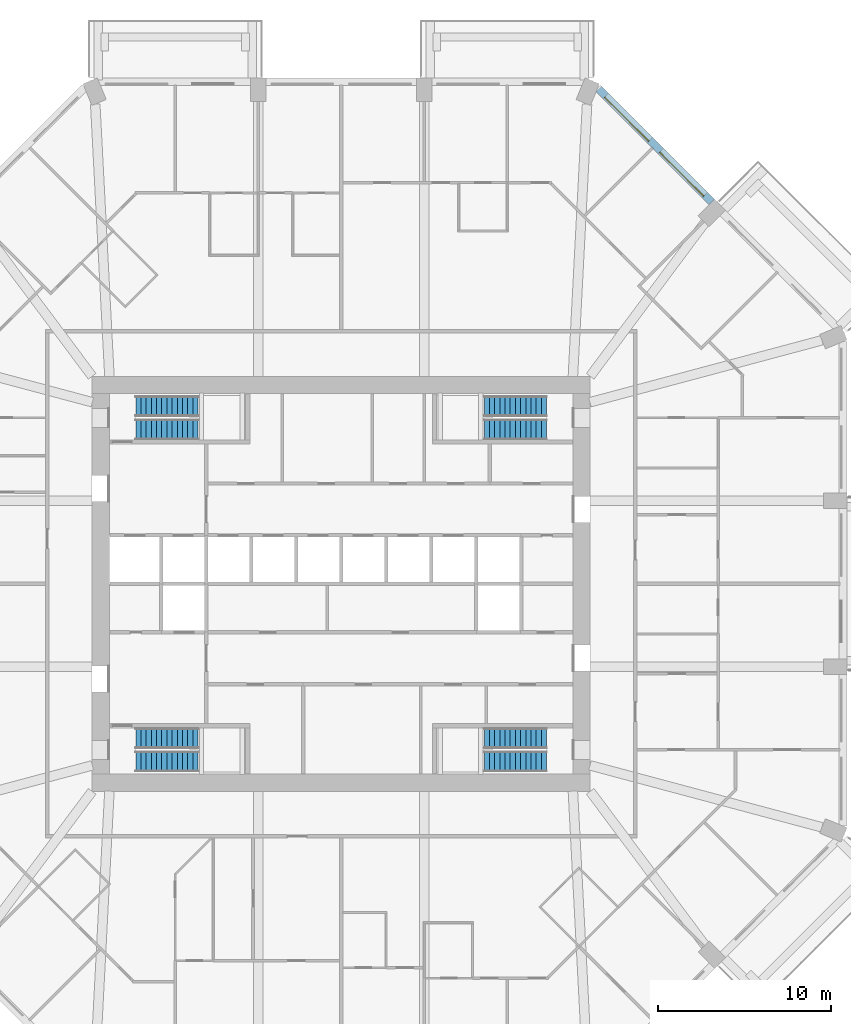
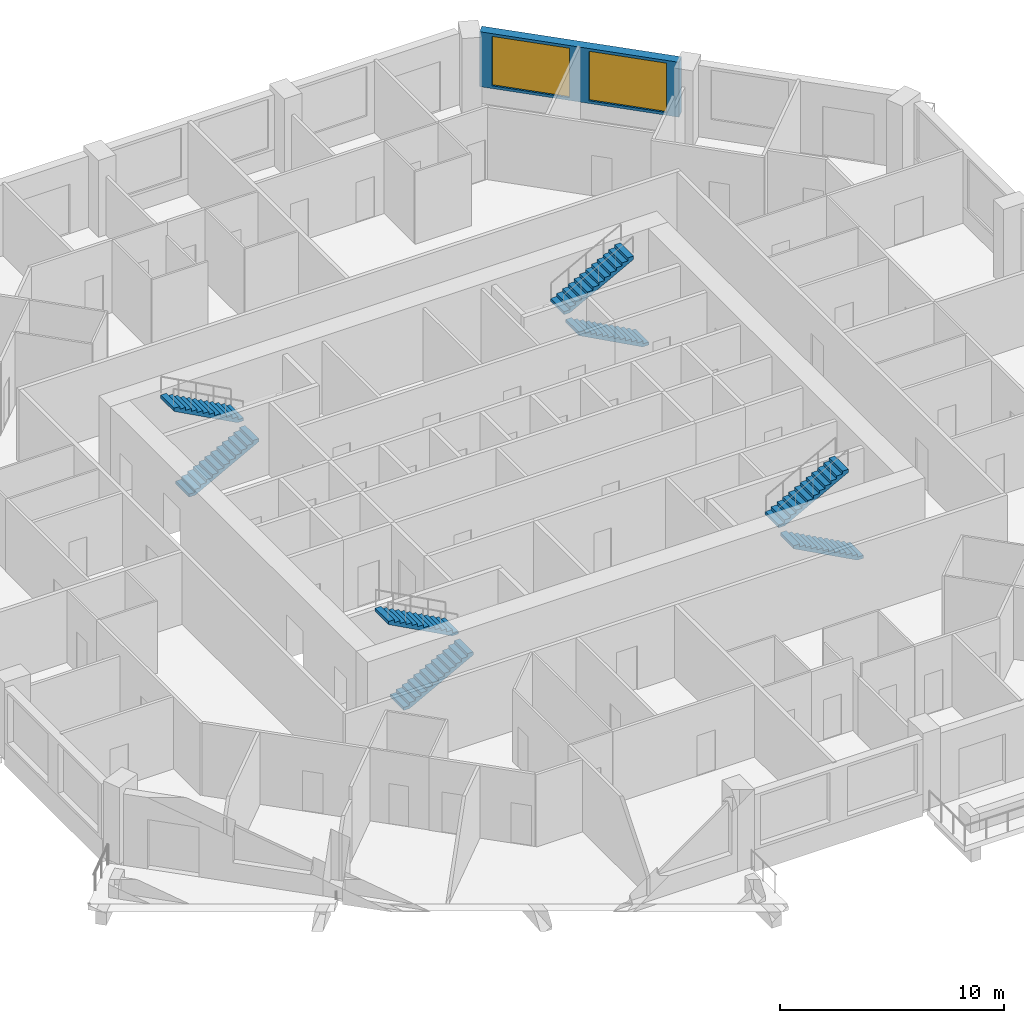
# One storey, part 11 of 13: 8 stair flights, 2 windows, 1 wall, 2 openings, 4 elements without a shape of their own.
"""IFC4 building model written with IfcOpenShell, lengths in metres."""

from ifc_helpers import new_model, si_unit, direction, frame, frame_2d, origin, place, context, subcontext, project, spatial, polyline, rectangle, outline, extrude, material, layer, layer_set, type_object, element, fill, aggregate, save


model = new_model("IFC4")

# Units and contexts
model_context = context("Model", 3, precision=1e-05, world=origin(), true_north=direction((0.0, 1.0)))
body_context = subcontext(model_context, "Body", "Model", "MODEL_VIEW")
ifc_project = project(units=[si_unit("LENGTHUNIT", "METRE"), si_unit("AREAUNIT", "SQUARE_METRE"), si_unit("VOLUMEUNIT", "CUBIC_METRE"), si_unit("PLANEANGLEUNIT", "RADIAN"), si_unit("MASSUNIT", "GRAM", prefix="KILO")], contexts=[model_context])

# Site, building, storey
site_placement = place(None, origin())
site = spatial("IfcSite", under=ifc_project, at=site_placement, CompositionType="ELEMENT")
building_placement = place(site_placement, origin())
building = spatial("IfcBuilding", under=site, at=building_placement, Name="Msitu Wima Residences", CompositionType="ELEMENT")
storey_placement = place(building_placement, frame((0.0, 0.0, 38.10009765625)))
storey = spatial("IfcBuildingStorey", under=building, at=storey_placement, Name="L08", CompositionType="ELEMENT", Elevation=38.10009765625)

# Wall, openings, windows
ifc_material_1 = material(Name="Brick (red buff mix)", Category="masonry")
ifc_layer = layer(ifc_material_1, 0.449951171875)
ifc_layer_set = layer_set([ifc_layer], Name="Brick (red buff mix)")
wall_type = type_object("IfcWallType", Name="Brick infill wall BW450", PredefinedType="SOLIDWALL", material=ifc_layer_set)
wall_placement = place(storey_placement, frame((21.44091796875, 22.077392578125, 0.89990234375), z_axis=(0.0, 0.0, 1.0), x_axis=(-0.707106781187, 0.707106781187, 0.0)))
wall = element("IfcWall", 1, at=wall_placement, inside=storey, type_object=wall_type, Name="Brick infill wall L08 NE1", PredefinedType="SOLIDWALL", context=body_context, shape_type="SweptSolid", body=[
    extrude(rectangle(XDim=9.2451171875, YDim=0.449951171875, at=frame_2d((4.62255859375, 0.0))), origin(), (0.0, 0.0, 1.0), 3.0),
])
opening_1_placement = place(wall_placement, frame((0.572509765625, 0.0, 0.14990234375)))
opening_1 = element("IfcOpeningElement", 2, at=opening_1_placement, cuts=wall, Name="Opening W08-10.011", PredefinedType="OPENING", context=body_context, shape_type="SweptSolid", body=[
    extrude(rectangle(XDim=3.60009765625, YDim=2.699951171875, at=frame_2d((1.800048828125, 1.35009765625))), frame((0.0, 0.23486328125, 0.0), z_axis=(0.0, -1.0, 0.0), x_axis=(1.0, 0.0, 0.0)), (0.0, 0.0, 1.0), 0.469970703125),
])
opening_2_placement = place(wall_placement, frame((5.072509765625, 0.0, 0.14990234375)))
opening_2 = element("IfcOpeningElement", 3, at=opening_2_placement, cuts=wall, Name="Opening W08-10.012", PredefinedType="OPENING", context=body_context, shape_type="SweptSolid", body=[
    extrude(rectangle(XDim=3.60009765625, YDim=2.699951171875, at=frame_2d((1.800048828125, 1.35009765625))), frame((0.0, 0.23486328125, 0.0), z_axis=(0.0, -1.0, 0.0), x_axis=(1.0, 0.0, 0.0)), (0.0, 0.0, 1.0), 0.469970703125),
])
ifc_material_2 = material(Name="Anodised aluminium, bronze finish, clear low-emissivity double glazing", Category="aluminium")
window_type = type_object("IfcWindowType", Name="Window W3600x2700", PartitioningType="DOUBLE_PANEL_VERTICAL", PredefinedType="WINDOW", material=ifc_material_2)
window_1_placement = place(opening_1_placement, origin())
window_1 = element("IfcWindow", 4, at=window_1_placement, inside=storey, type_object=window_type, Name="Window L08 NE1.1", OverallHeight=2.699951171875, OverallWidth=3.60009765625, PartitioningType="SINGLE_PANEL", PredefinedType="WINDOW", context=body_context, shape_type="SweptSolid", body=[
    extrude(rectangle(XDim=3.60009765625, YDim=2.699951171875, at=frame_2d((1.800048828125, 1.35009765625))), frame((0.0, 0.135009765625, 0.0), z_axis=(0.0, -1.0, 0.0), x_axis=(1.0, 0.0, 0.0)), (0.0, 0.0, 1.0), 0.06005859375),
])
fill(opening_1, window_1)
window_2_placement = place(opening_2_placement, origin())
window_2 = element("IfcWindow", 5, at=window_2_placement, inside=storey, type_object=window_type, Name="Window L08 NE1.2", OverallHeight=2.699951171875, OverallWidth=3.60009765625, PartitioningType="SINGLE_PANEL", PredefinedType="WINDOW", context=body_context, shape_type="SweptSolid", body=[
    extrude(rectangle(XDim=3.60009765625, YDim=2.699951171875, at=frame_2d((1.800048828125, 1.35009765625))), frame((0.0, 0.135009765625, 0.0), z_axis=(0.0, -1.0, 0.0), x_axis=(1.0, 0.0, 0.0)), (0.0, 0.0, 1.0), 0.06005859375),
])
fill(opening_2, window_2)

# Stair, stair flights
ifc_material_3 = material(Name="Concrete C40/50", Category="concrete")
stair_type = type_object("IfcStairType", Name="Exit stair ES1615-120", PredefinedType="HALF_TURN_STAIR", material=ifc_material_3)
stair_1_placement = place(storey_placement, origin())
stair_1 = element("IfcStair", 6, at=stair_1_placement, inside=storey, type_object=stair_type, Name="Exit stair 1", PredefinedType="HALF_TURN_STAIR")
stair_flight_type = type_object("IfcStairFlightType", Name="Exit stair flight ES1615-120", PredefinedType="STRAIGHT", material=ifc_material_3)
stair_flight_1_placement = place(storey_placement, frame((-11.875, 8.925048828125, 0.0), z_axis=(0.0, 0.0, 1.0), x_axis=(1.0, 0.0, 0.0)))
stair_flight_1 = element("IfcStairFlight", 7, at=stair_flight_1_placement, type_object=stair_flight_type, Name="S1 flight 1", NumberOfRisers=13, NumberOfTreads=12, PredefinedType="STRAIGHT", RiserHeight=0.161538462, TreadLength=0.3, context=body_context, shape_type="SweptSolid", body=[
    extrude(outline(polyline([(0.0, 0.0), (0.0, 0.16162109375), (0.300048828125, 0.16162109375), (0.300048828125, 0.322998046875), (0.60009765625, 0.322998046875), (0.60009765625, 0.484619140625), (0.89990234375, 0.484619140625), (0.89990234375, 0.646240234375), (1.199951171875, 0.646240234375), (1.199951171875, 0.8076171875), (1.5, 0.8076171875), (1.5, 0.96923828125), (1.800048828125, 0.96923828125), (1.800048828125, 1.130859375), (2.10009765625, 1.130859375), (2.10009765625, 1.292236328125), (2.39990234375, 1.292236328125), (2.39990234375, 1.453857421875), (2.699951171875, 1.453857421875), (2.699951171875, 1.615478515625), (3.0, 1.615478515625), (3.0, 1.77685546875), (3.300048828125, 1.77685546875), (3.300048828125, 1.9384765625), (3.60009765625, 1.9384765625), (3.60009765625, 2.10009765625), (3.60009765625, 1.768310546875), (0.316162109375, 0.0), (0.0, 0.0)])), frame((0.0, 0.60009765625, 0.0), z_axis=(0.0, -1.0, 0.0), x_axis=(1.0, 0.0, 0.0)), (0.0, 0.0, 1.0), 1.199951171875),
])
stair_flight_2_placement = place(storey_placement, frame((-8.27490234375, 10.27490234375, 2.099853515625), z_axis=(0.0, 0.0, 1.0), x_axis=(-1.0, 0.0, 0.0)))
stair_flight_2 = element("IfcStairFlight", 8, at=stair_flight_2_placement, type_object=stair_flight_type, Name="S1 flight 2", NumberOfRisers=13, NumberOfTreads=12, PredefinedType="STRAIGHT", RiserHeight=0.161538462, TreadLength=0.3, context=body_context, shape_type="SweptSolid", body=[
    extrude(outline(polyline([(0.0, 0.0), (0.0, 0.16162109375), (0.300048828125, 0.16162109375), (0.300048828125, 0.322998046875), (0.60009765625, 0.322998046875), (0.60009765625, 0.484619140625), (0.89990234375, 0.484619140625), (0.89990234375, 0.646240234375), (1.199951171875, 0.646240234375), (1.199951171875, 0.8076171875), (1.5, 0.8076171875), (1.5, 0.96923828125), (1.800048828125, 0.96923828125), (1.800048828125, 1.130859375), (2.10009765625, 1.130859375), (2.10009765625, 1.292236328125), (2.39990234375, 1.292236328125), (2.39990234375, 1.453857421875), (2.699951171875, 1.453857421875), (2.699951171875, 1.615478515625), (3.0, 1.615478515625), (3.0, 1.77685546875), (3.300048828125, 1.77685546875), (3.300048828125, 1.9384765625), (3.60009765625, 1.9384765625), (3.60009765625, 2.10009765625), (3.60009765625, 1.768310546875), (0.316162109375, 0.0), (0.0, 0.0)])), frame((0.0, 0.60009765625, 0.0), z_axis=(0.0, -1.0, 0.0), x_axis=(1.0, 0.0, 0.0)), (0.0, 0.0, 1.0), 1.199951171875),
])
aggregate(stair_1, [stair_flight_1, stair_flight_2])

stair_2_placement = place(storey_placement, origin())
stair_2 = element("IfcStair", 9, at=stair_2_placement, inside=storey, type_object=stair_type, Name="Exit stair 2", PredefinedType="HALF_TURN_STAIR")
stair_flight_3_placement = place(storey_placement, frame((-11.875, -10.27490234375, 0.0), z_axis=(0.0, 0.0, 1.0), x_axis=(1.0, 0.0, 0.0)))
stair_flight_3 = element("IfcStairFlight", 10, at=stair_flight_3_placement, type_object=stair_flight_type, Name="S2 flight 1", NumberOfRisers=13, NumberOfTreads=12, PredefinedType="STRAIGHT", RiserHeight=0.161538462, TreadLength=0.3, context=body_context, shape_type="SweptSolid", body=[
    extrude(outline(polyline([(0.0, 0.0), (0.0, 0.16162109375), (0.300048828125, 0.16162109375), (0.300048828125, 0.322998046875), (0.60009765625, 0.322998046875), (0.60009765625, 0.484619140625), (0.89990234375, 0.484619140625), (0.89990234375, 0.646240234375), (1.199951171875, 0.646240234375), (1.199951171875, 0.8076171875), (1.5, 0.8076171875), (1.5, 0.96923828125), (1.800048828125, 0.96923828125), (1.800048828125, 1.130859375), (2.10009765625, 1.130859375), (2.10009765625, 1.292236328125), (2.39990234375, 1.292236328125), (2.39990234375, 1.453857421875), (2.699951171875, 1.453857421875), (2.699951171875, 1.615478515625), (3.0, 1.615478515625), (3.0, 1.77685546875), (3.300048828125, 1.77685546875), (3.300048828125, 1.9384765625), (3.60009765625, 1.9384765625), (3.60009765625, 2.10009765625), (3.60009765625, 1.768310546875), (0.316162109375, 0.0), (0.0, 0.0)])), frame((0.0, 0.60009765625, 0.0), z_axis=(0.0, -1.0, 0.0), x_axis=(1.0, 0.0, 0.0)), (0.0, 0.0, 1.0), 1.199951171875),
])
stair_flight_4_placement = place(storey_placement, frame((-8.27490234375, -8.925048828125, 2.099853515625), z_axis=(0.0, 0.0, 1.0), x_axis=(-1.0, 0.0, 0.0)))
stair_flight_4 = element("IfcStairFlight", 11, at=stair_flight_4_placement, type_object=stair_flight_type, Name="S2 flight 2", NumberOfRisers=13, NumberOfTreads=12, PredefinedType="STRAIGHT", RiserHeight=0.161538462, TreadLength=0.3, context=body_context, shape_type="SweptSolid", body=[
    extrude(outline(polyline([(0.0, 0.0), (0.0, 0.16162109375), (0.300048828125, 0.16162109375), (0.300048828125, 0.322998046875), (0.60009765625, 0.322998046875), (0.60009765625, 0.484619140625), (0.89990234375, 0.484619140625), (0.89990234375, 0.646240234375), (1.199951171875, 0.646240234375), (1.199951171875, 0.8076171875), (1.5, 0.8076171875), (1.5, 0.96923828125), (1.800048828125, 0.96923828125), (1.800048828125, 1.130859375), (2.10009765625, 1.130859375), (2.10009765625, 1.292236328125), (2.39990234375, 1.292236328125), (2.39990234375, 1.453857421875), (2.699951171875, 1.453857421875), (2.699951171875, 1.615478515625), (3.0, 1.615478515625), (3.0, 1.77685546875), (3.300048828125, 1.77685546875), (3.300048828125, 1.9384765625), (3.60009765625, 1.9384765625), (3.60009765625, 2.10009765625), (3.60009765625, 1.768310546875), (0.316162109375, 0.0), (0.0, 0.0)])), frame((0.0, 0.60009765625, 0.0), z_axis=(0.0, -1.0, 0.0), x_axis=(1.0, 0.0, 0.0)), (0.0, 0.0, 1.0), 1.199951171875),
])
aggregate(stair_2, [stair_flight_3, stair_flight_4])

stair_3_placement = place(storey_placement, origin())
stair_3 = element("IfcStair", 12, at=stair_3_placement, inside=storey, type_object=stair_type, Name="Exit stair 3", PredefinedType="HALF_TURN_STAIR")
stair_flight_5_placement = place(storey_placement, frame((11.875, 8.925048828125, 0.0), z_axis=(0.0, 0.0, 1.0), x_axis=(-1.0, 0.0, 0.0)))
stair_flight_5 = element("IfcStairFlight", 13, at=stair_flight_5_placement, type_object=stair_flight_type, Name="S3 flight 1", NumberOfRisers=13, NumberOfTreads=12, PredefinedType="STRAIGHT", RiserHeight=0.161538462, TreadLength=0.3, context=body_context, shape_type="SweptSolid", body=[
    extrude(outline(polyline([(0.0, 0.0), (0.0, 0.16162109375), (0.300048828125, 0.16162109375), (0.300048828125, 0.322998046875), (0.60009765625, 0.322998046875), (0.60009765625, 0.484619140625), (0.89990234375, 0.484619140625), (0.89990234375, 0.646240234375), (1.199951171875, 0.646240234375), (1.199951171875, 0.8076171875), (1.5, 0.8076171875), (1.5, 0.96923828125), (1.800048828125, 0.96923828125), (1.800048828125, 1.130859375), (2.10009765625, 1.130859375), (2.10009765625, 1.292236328125), (2.39990234375, 1.292236328125), (2.39990234375, 1.453857421875), (2.699951171875, 1.453857421875), (2.699951171875, 1.615478515625), (3.0, 1.615478515625), (3.0, 1.77685546875), (3.300048828125, 1.77685546875), (3.300048828125, 1.9384765625), (3.60009765625, 1.9384765625), (3.60009765625, 2.10009765625), (3.60009765625, 1.768310546875), (0.316162109375, 0.0), (0.0, 0.0)])), frame((0.0, 0.60009765625, 0.0), z_axis=(0.0, -1.0, 0.0), x_axis=(1.0, 0.0, 0.0)), (0.0, 0.0, 1.0), 1.199951171875),
])
stair_flight_6_placement = place(storey_placement, frame((8.27490234375, 10.27490234375, 2.099853515625), z_axis=(0.0, 0.0, 1.0), x_axis=(1.0, 0.0, 0.0)))
stair_flight_6 = element("IfcStairFlight", 14, at=stair_flight_6_placement, type_object=stair_flight_type, Name="S3 flight 2", NumberOfRisers=13, NumberOfTreads=12, PredefinedType="STRAIGHT", RiserHeight=0.161538462, TreadLength=0.3, context=body_context, shape_type="SweptSolid", body=[
    extrude(outline(polyline([(0.0, 0.0), (0.0, 0.16162109375), (0.300048828125, 0.16162109375), (0.300048828125, 0.322998046875), (0.60009765625, 0.322998046875), (0.60009765625, 0.484619140625), (0.89990234375, 0.484619140625), (0.89990234375, 0.646240234375), (1.199951171875, 0.646240234375), (1.199951171875, 0.8076171875), (1.5, 0.8076171875), (1.5, 0.96923828125), (1.800048828125, 0.96923828125), (1.800048828125, 1.130859375), (2.10009765625, 1.130859375), (2.10009765625, 1.292236328125), (2.39990234375, 1.292236328125), (2.39990234375, 1.453857421875), (2.699951171875, 1.453857421875), (2.699951171875, 1.615478515625), (3.0, 1.615478515625), (3.0, 1.77685546875), (3.300048828125, 1.77685546875), (3.300048828125, 1.9384765625), (3.60009765625, 1.9384765625), (3.60009765625, 2.10009765625), (3.60009765625, 1.768310546875), (0.316162109375, 0.0), (0.0, 0.0)])), frame((0.0, 0.60009765625, 0.0), z_axis=(0.0, -1.0, 0.0), x_axis=(1.0, 0.0, 0.0)), (0.0, 0.0, 1.0), 1.199951171875),
])
aggregate(stair_3, [stair_flight_5, stair_flight_6])

stair_4_placement = place(storey_placement, origin())
stair_4 = element("IfcStair", 15, at=stair_4_placement, inside=storey, type_object=stair_type, Name="Exit stair 4", PredefinedType="HALF_TURN_STAIR")
stair_flight_7_placement = place(storey_placement, frame((11.875, -10.27490234375, 0.0), z_axis=(0.0, 0.0, 1.0), x_axis=(-1.0, 0.0, 0.0)))
stair_flight_7 = element("IfcStairFlight", 16, at=stair_flight_7_placement, type_object=stair_flight_type, Name="S4 flight 1", NumberOfRisers=13, NumberOfTreads=12, PredefinedType="STRAIGHT", RiserHeight=0.161538462, TreadLength=0.3, context=body_context, shape_type="SweptSolid", body=[
    extrude(outline(polyline([(0.0, 0.0), (0.0, 0.16162109375), (0.300048828125, 0.16162109375), (0.300048828125, 0.322998046875), (0.60009765625, 0.322998046875), (0.60009765625, 0.484619140625), (0.89990234375, 0.484619140625), (0.89990234375, 0.646240234375), (1.199951171875, 0.646240234375), (1.199951171875, 0.8076171875), (1.5, 0.8076171875), (1.5, 0.96923828125), (1.800048828125, 0.96923828125), (1.800048828125, 1.130859375), (2.10009765625, 1.130859375), (2.10009765625, 1.292236328125), (2.39990234375, 1.292236328125), (2.39990234375, 1.453857421875), (2.699951171875, 1.453857421875), (2.699951171875, 1.615478515625), (3.0, 1.615478515625), (3.0, 1.77685546875), (3.300048828125, 1.77685546875), (3.300048828125, 1.9384765625), (3.60009765625, 1.9384765625), (3.60009765625, 2.10009765625), (3.60009765625, 1.768310546875), (0.316162109375, 0.0), (0.0, 0.0)])), frame((0.0, 0.60009765625, 0.0), z_axis=(0.0, -1.0, 0.0), x_axis=(1.0, 0.0, 0.0)), (0.0, 0.0, 1.0), 1.199951171875),
])
stair_flight_8_placement = place(storey_placement, frame((8.27490234375, -8.925048828125, 2.099853515625), z_axis=(0.0, 0.0, 1.0), x_axis=(1.0, 0.0, 0.0)))
stair_flight_8 = element("IfcStairFlight", 17, at=stair_flight_8_placement, type_object=stair_flight_type, Name="S4 flight 2", NumberOfRisers=13, NumberOfTreads=12, PredefinedType="STRAIGHT", RiserHeight=0.161538462, TreadLength=0.3, context=body_context, shape_type="SweptSolid", body=[
    extrude(outline(polyline([(0.0, 0.0), (0.0, 0.16162109375), (0.300048828125, 0.16162109375), (0.300048828125, 0.322998046875), (0.60009765625, 0.322998046875), (0.60009765625, 0.484619140625), (0.89990234375, 0.484619140625), (0.89990234375, 0.646240234375), (1.199951171875, 0.646240234375), (1.199951171875, 0.8076171875), (1.5, 0.8076171875), (1.5, 0.96923828125), (1.800048828125, 0.96923828125), (1.800048828125, 1.130859375), (2.10009765625, 1.130859375), (2.10009765625, 1.292236328125), (2.39990234375, 1.292236328125), (2.39990234375, 1.453857421875), (2.699951171875, 1.453857421875), (2.699951171875, 1.615478515625), (3.0, 1.615478515625), (3.0, 1.77685546875), (3.300048828125, 1.77685546875), (3.300048828125, 1.9384765625), (3.60009765625, 1.9384765625), (3.60009765625, 2.10009765625), (3.60009765625, 1.768310546875), (0.316162109375, 0.0), (0.0, 0.0)])), frame((0.0, 0.60009765625, 0.0), z_axis=(0.0, -1.0, 0.0), x_axis=(1.0, 0.0, 0.0)), (0.0, 0.0, 1.0), 1.199951171875),
])
aggregate(stair_4, [stair_flight_7, stair_flight_8])

save(model, "model.ifc")
